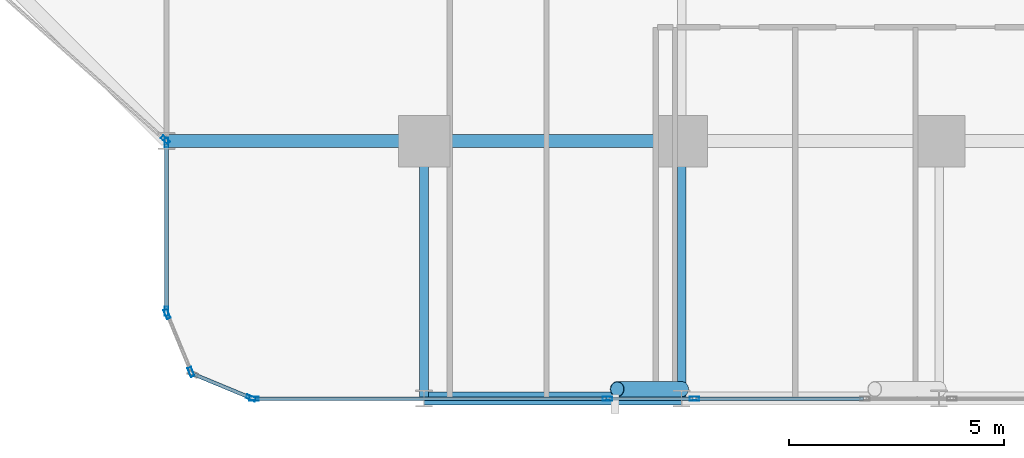
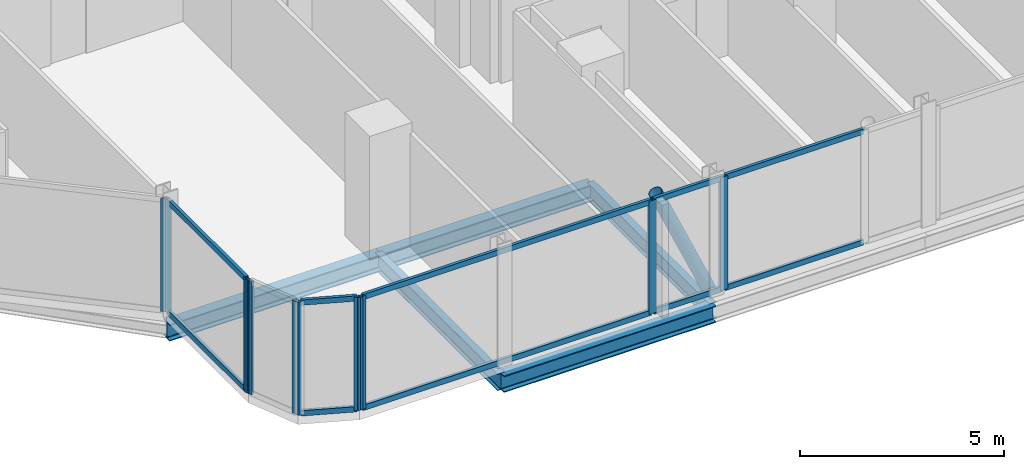
# One storey, part 4 of 34: 20 members, 5 beams, 7 elements without a shape of their own.
"""IFC4 building model written with IfcOpenShell, lengths in metres."""

from ifc_helpers import new_model, si_unit, direction, frame, origin, origin_2d, place, context, subcontext, project, spatial, hollow_rectangle, hollow_circle, i_section, extrude, material, layer, layer_set, material_profile, profile_set, type_object, element, aggregate, save


model = new_model("IFC4")

# Units and contexts
model_context = context("Model", 3, precision=1e-05, world=origin(), true_north=direction((0.0, 1.0)))
body_context = subcontext(model_context, "Body", "Model", "MODEL_VIEW")
ifc_project = project(units=[si_unit("LENGTHUNIT", "METRE"), si_unit("AREAUNIT", "SQUARE_METRE"), si_unit("VOLUMEUNIT", "CUBIC_METRE"), si_unit("PLANEANGLEUNIT", "RADIAN"), si_unit("MASSUNIT", "GRAM", prefix="KILO")], contexts=[model_context])

# Site, building, storey
site_placement = place(None, origin())
site = spatial("IfcSite", under=ifc_project, at=site_placement, CompositionType="ELEMENT")
building_placement = place(site_placement, origin())
building = spatial("IfcBuilding", under=site, at=building_placement, Name="Keshet Zoharim Tower", CompositionType="ELEMENT")
storey_placement = place(building_placement, frame((0.0, 0.0, 53.60009765625)))
storey = spatial("IfcBuildingStorey", under=building, at=storey_placement, Name="L12", CompositionType="ELEMENT", Elevation=53.60009765625)

# Beams
ifc_material_1 = material(Name="Steel S355", Category="steel")
ifc_material_profile_1 = material_profile(ifc_material_1, i_section(OverallWidth=0.199951171875, OverallDepth=0.5, WebThickness=0.01025390625, FlangeThickness=0.01611328125, FilletRadius=0.02099609375, at=origin_2d()), Name="IPE500")
ifc_profile_set_1 = profile_set([ifc_material_profile_1], Name="Steel S355")
beam_type_1 = type_object("IfcBeamType", Name="BM-PRI-IP500", PredefinedType="BEAM", material=ifc_profile_set_1)
for number, where, z_axis, x_axis, name in (
    (1, (27.0, 0.699951171875, -0.565185546875), (0.0, 1.0, 0.0), (-1.0, 0.0, 0.0), "L12 Primary Girder Y-004"),
    (2, (33.0, 0.699951171875, -0.565185546875), (0.0, 1.0, 0.0), (-1.0, 0.0, 0.0), "L12 Primary Girder Y-005"),
):
    element("IfcBeam", number, at=place(storey_placement, frame(where, z_axis=z_axis, x_axis=x_axis)), inside=storey, type_object=beam_type_1, Name=name, PredefinedType="BEAM", context=body_context, shape_type="SweptSolid", body=[
        extrude(i_section(OverallWidth=0.199951171875, OverallDepth=0.5, WebThickness=0.01025390625, FlangeThickness=0.01611328125, FilletRadius=0.02099609375, at=origin_2d()), origin(), (0.0, 0.0, 1.0), 6.0),
    ])
ifc_material_profile_2 = material_profile(ifc_material_1, i_section(OverallWidth=0.300048828125, OverallDepth=0.5, WebThickness=0.014404296875, FlangeThickness=0.028076171875, FilletRadius=0.027099609375, at=origin_2d()), Name="HEB500")
ifc_profile_set_2 = profile_set([ifc_material_profile_2], Name="Steel S355")
beam_type_2 = type_object("IfcBeamType", Name="BM-WEB-HB500", PredefinedType="BEAM", material=ifc_profile_set_2)
for number, where, z_axis, x_axis, name in (
    (3, (27.0, 0.699951171875, -0.565185546875), (1.0, 0.0, 0.0), (0.0, 1.0, 0.0), "L12 Primary Girder X-001"),
    (4, (21.0, 6.699951171875, -0.565185546875), (1.0, 0.0, 0.0), (0.0, 1.0, 0.0), "L12 Primary Girder X-006"),
    (5, (27.0, 6.699951171875, -0.565185546875), (1.0, 0.0, 0.0), (0.0, 1.0, 0.0), "L12 Primary Girder X-007"),
):
    element("IfcBeam", number, at=place(storey_placement, frame(where, z_axis=z_axis, x_axis=x_axis)), inside=storey, type_object=beam_type_2, Name=name, PredefinedType="BEAM", context=body_context, shape_type="SweptSolid", body=[
        extrude(i_section(OverallWidth=0.300048828125, OverallDepth=0.5, WebThickness=0.014404296875, FlangeThickness=0.028076171875, FilletRadius=0.027099609375, at=origin_2d()), origin(), (0.0, 0.0, 1.0), 6.0),
    ])

# Curtain wall, member
ifc_material_2 = material(Name="Aluminium 6063-T6", Category="aluminium")
ifc_layer = layer(ifc_material_2, 0.179931640625)
ifc_layer_set = layer_set([ifc_layer], Name="Aluminium 6063-T6")
curtain_wall_type = type_object("IfcCurtainWallType", Name="CW-SYS-01", PredefinedType="NOTDEFINED", material=ifc_layer_set)
curtain_wall_1_placement = place(storey_placement, origin())
curtain_wall_1 = element("IfcCurtainWall", 6, at=curtain_wall_1_placement, inside=storey, type_object=curtain_wall_type, Name="L12 Unitised Curtain Wall 01", PredefinedType="NOTDEFINED")
ifc_material_profile_3 = material_profile(ifc_material_2, hollow_rectangle(XDim=0.090087890625, YDim=0.219970703125, WallThickness=0.0048828125, at=origin_2d()), Name="MUL-90x220")
ifc_profile_set_3 = profile_set([ifc_material_profile_3], Name="Aluminium 6063-T6")
member_type_1 = type_object("IfcMemberType", Name="CWM-M22", PredefinedType="MULLION", material=ifc_profile_set_3)
member_1_placement = place(storey_placement, frame((20.973876953125, 6.72314453125, 0.0), z_axis=(0.0, 0.0, 1.0), x_axis=(-0.664363838836, -0.747409318679, 0.0)))
member_1 = element("IfcMember", 7, at=member_1_placement, type_object=member_type_1, Name="CW-01 mullion 1", PredefinedType="MULLION", context=body_context, shape_type="SweptSolid", body=[
    extrude(hollow_rectangle(XDim=0.090087890625, YDim=0.219970703125, WallThickness=0.0048828125, at=origin_2d()), origin(), (0.0, 0.0, 1.0), 3.385009765625),
])
aggregate(curtain_wall_1, [member_1])

curtain_wall_2_placement = place(storey_placement, origin())
curtain_wall_2 = element("IfcCurtainWall", 8, at=curtain_wall_2_placement, inside=storey, type_object=curtain_wall_type, Name="L12 Unitised Curtain Wall 26 Part 3", PredefinedType="NOTDEFINED")
member_2_placement = place(storey_placement, frame((33.297607421875, 0.699951171875, 0.0), z_axis=(0.0, 0.0, 1.0), x_axis=(0.0, -1.0, 0.0)))
member_2 = element("IfcMember", 9, at=member_2_placement, type_object=member_type_1, Name="CW-01 mullion 2", PredefinedType="MULLION", context=body_context, shape_type="SweptSolid", body=[
    extrude(hollow_rectangle(XDim=0.090087890625, YDim=0.219970703125, WallThickness=0.0048828125, at=origin_2d()), origin(), (0.0, 0.0, 1.0), 3.385009765625),
])

curtain_wall_3_placement = place(storey_placement, origin())
curtain_wall_3 = element("IfcCurtainWall", 10, at=curtain_wall_3_placement, inside=storey, type_object=curtain_wall_type, Name="L12 Unitised Curtain Wall 26 Part 4", PredefinedType="NOTDEFINED")
member_3_placement = place(storey_placement, frame((31.2724609375, 0.699951171875, 0.0), z_axis=(0.0, 0.0, 1.0), x_axis=(0.0, -1.0, 0.0)))
member_3 = element("IfcMember", 11, at=member_3_placement, type_object=member_type_1, Name="CW-01 mullion 2", PredefinedType="MULLION", context=body_context, shape_type="SweptSolid", body=[
    extrude(hollow_rectangle(XDim=0.090087890625, YDim=0.219970703125, WallThickness=0.0048828125, at=origin_2d()), origin(), (0.0, 0.0, 1.0), 3.385009765625),
])

curtain_wall_4_placement = place(storey_placement, origin())
curtain_wall_4 = element("IfcCurtainWall", 12, at=curtain_wall_4_placement, inside=storey, type_object=curtain_wall_type, Name="L12 Unitised Curtain Wall 26 Part 5", PredefinedType="NOTDEFINED")
member_4_placement = place(storey_placement, frame((23.034912109375, 0.699951171875, 0.0), z_axis=(0.0, 0.0, 1.0), x_axis=(0.0, -1.0, 0.0)))
member_4 = element("IfcMember", 13, at=member_4_placement, type_object=member_type_1, Name="CW-01 mullion 2", PredefinedType="MULLION", context=body_context, shape_type="SweptSolid", body=[
    extrude(hollow_rectangle(XDim=0.090087890625, YDim=0.219970703125, WallThickness=0.0048828125, at=origin_2d()), origin(), (0.0, 0.0, 1.0), 3.385009765625),
])

curtain_wall_5_placement = place(storey_placement, origin())
curtain_wall_5 = element("IfcCurtainWall", 14, at=curtain_wall_5_placement, inside=storey, type_object=curtain_wall_type, Name="L12 Unitised Curtain Wall 27", PredefinedType="NOTDEFINED")
member_5_placement = place(storey_placement, frame((22.9677734375, 0.71337890625, 0.0), z_axis=(0.0, 0.0, 1.0), x_axis=(-0.382851849847, -0.92380975372, 0.0)))
member_5 = element("IfcMember", 15, at=member_5_placement, type_object=member_type_1, Name="CW-01 mullion 1", PredefinedType="MULLION", context=body_context, shape_type="SweptSolid", body=[
    extrude(hollow_rectangle(XDim=0.090087890625, YDim=0.219970703125, WallThickness=0.0048828125, at=origin_2d()), origin(), (0.0, 0.0, 1.0), 3.385009765625),
])

# Curtain wall, members
curtain_wall_6_placement = place(storey_placement, origin())
curtain_wall_6 = element("IfcCurtainWall", 16, at=curtain_wall_6_placement, inside=storey, type_object=curtain_wall_type, Name="L12 Unitised Curtain Wall 28", PredefinedType="NOTDEFINED")
member_6_placement = place(storey_placement, frame((21.572509765625, 1.318359375, 0.0), z_axis=(0.0, 0.0, 1.0), x_axis=(-0.92380975372, -0.382851849847, 0.0)))
member_6 = element("IfcMember", 17, at=member_6_placement, type_object=member_type_1, Name="CW-01 mullion 1", PredefinedType="MULLION", context=body_context, shape_type="SweptSolid", body=[
    extrude(hollow_rectangle(XDim=0.090087890625, YDim=0.219970703125, WallThickness=0.0048828125, at=origin_2d()), origin(), (0.0, 0.0, 1.0), 3.385009765625),
])
member_7_placement = place(storey_placement, frame((21.013427734375, 2.667724609375, 0.0), z_axis=(0.0, 0.0, 1.0), x_axis=(-0.92380975372, -0.382851849847, 0.0)))
member_7 = element("IfcMember", 18, at=member_7_placement, type_object=member_type_1, Name="CW-01 mullion 2", PredefinedType="MULLION", context=body_context, shape_type="SweptSolid", body=[
    extrude(hollow_rectangle(XDim=0.090087890625, YDim=0.219970703125, WallThickness=0.0048828125, at=origin_2d()), origin(), (0.0, 0.0, 1.0), 3.385009765625),
])
aggregate(curtain_wall_6, [member_6, member_7])

curtain_wall_7_placement = place(storey_placement, origin())
curtain_wall_7 = element("IfcCurtainWall", 19, at=curtain_wall_7_placement, inside=storey, type_object=curtain_wall_type, Name="L12 Unitised Curtain Wall 29", PredefinedType="NOTDEFINED")
member_8_placement = place(storey_placement, frame((21.0, 2.735107421875, 0.0), z_axis=(0.0, 0.0, 1.0), x_axis=(-1.0, 0.0, 0.0)))
member_8 = element("IfcMember", 20, at=member_8_placement, type_object=member_type_1, Name="CW-01 mullion 1", PredefinedType="MULLION", context=body_context, shape_type="SweptSolid", body=[
    extrude(hollow_rectangle(XDim=0.090087890625, YDim=0.219970703125, WallThickness=0.0048828125, at=origin_2d()), origin(), (0.0, 0.0, 1.0), 3.385009765625),
])
member_9_placement = place(storey_placement, frame((21.0, 6.6650390625, 0.0), z_axis=(0.0, 0.0, 1.0), x_axis=(-1.0, 0.0, 0.0)))
member_9 = element("IfcMember", 21, at=member_9_placement, type_object=member_type_1, Name="CW-01 mullion 2", PredefinedType="MULLION", context=body_context, shape_type="SweptSolid", body=[
    extrude(hollow_rectangle(XDim=0.090087890625, YDim=0.219970703125, WallThickness=0.0048828125, at=origin_2d()), origin(), (0.0, 0.0, 1.0), 3.385009765625),
])

# Member
ifc_material_profile_4 = material_profile(ifc_material_2, hollow_rectangle(XDim=0.0849609375, YDim=0.159912109375, WallThickness=0.00439453125, at=origin_2d()), Name="TRN-85x160")
ifc_profile_set_4 = profile_set([ifc_material_profile_4], Name="Aluminium 6063-T6")
member_type_2 = type_object("IfcMemberType", Name="CWT-T16", PredefinedType="USERDEFINED", material=ifc_profile_set_4)
member_10_placement = place(storey_placement, frame((37.2373046875, 0.699951171875, 0.034912109375), z_axis=(-1.0, 0.0, 0.0), x_axis=(0.0, -1.0, 0.0)))
member_10 = element("IfcMember", 22, at=member_10_placement, type_object=member_type_2, Name="CW-01 transom 1.1", ObjectType="TRANSOM", PredefinedType="USERDEFINED", context=body_context, shape_type="SweptSolid", body=[
    extrude(hollow_rectangle(XDim=0.0849609375, YDim=0.159912109375, WallThickness=0.00439453125, at=origin_2d()), origin(), (0.0, 0.0, 1.0), 3.90478515625),
])

member_11_placement = place(storey_placement, frame((37.2373046875, 0.699951171875, 3.349853515625), z_axis=(-1.0, 0.0, 0.0), x_axis=(0.0, -1.0, 0.0)))
member_11 = element("IfcMember", 23, at=member_11_placement, type_object=member_type_2, Name="CW-01 transom 1.2", ObjectType="TRANSOM", PredefinedType="USERDEFINED", context=body_context, shape_type="SweptSolid", body=[
    extrude(hollow_rectangle(XDim=0.0849609375, YDim=0.159912109375, WallThickness=0.00439453125, at=origin_2d()), origin(), (0.0, 0.0, 1.0), 3.90478515625),
])

aggregate(curtain_wall_2, [member_2, member_10, member_11])

member_12_placement = place(storey_placement, frame((33.2626953125, 0.699951171875, 0.034912109375), z_axis=(-1.0, 0.0, 0.0), x_axis=(0.0, -1.0, 0.0)))
member_12 = element("IfcMember", 24, at=member_12_placement, type_object=member_type_2, Name="CW-01 transom 1.1", ObjectType="TRANSOM", PredefinedType="USERDEFINED", context=body_context, shape_type="SweptSolid", body=[
    extrude(hollow_rectangle(XDim=0.0849609375, YDim=0.159912109375, WallThickness=0.00439453125, at=origin_2d()), origin(), (0.0, 0.0, 1.0), 1.955322265625),
])

member_13_placement = place(storey_placement, frame((33.2626953125, 0.699951171875, 3.349853515625), z_axis=(-1.0, 0.0, 0.0), x_axis=(0.0, -1.0, 0.0)))
member_13 = element("IfcMember", 25, at=member_13_placement, type_object=member_type_2, Name="CW-01 transom 1.2", ObjectType="TRANSOM", PredefinedType="USERDEFINED", context=body_context, shape_type="SweptSolid", body=[
    extrude(hollow_rectangle(XDim=0.0849609375, YDim=0.159912109375, WallThickness=0.00439453125, at=origin_2d()), origin(), (0.0, 0.0, 1.0), 1.955322265625),
])

aggregate(curtain_wall_3, [member_3, member_12, member_13])

member_14_placement = place(storey_placement, frame((31.2373046875, 0.699951171875, 0.034912109375), z_axis=(-1.0, 0.0, 0.0), x_axis=(0.0, -1.0, 0.0)))
member_14 = element("IfcMember", 26, at=member_14_placement, type_object=member_type_2, Name="CW-01 transom 1.1", ObjectType="TRANSOM", PredefinedType="USERDEFINED", context=body_context, shape_type="SweptSolid", body=[
    extrude(hollow_rectangle(XDim=0.0849609375, YDim=0.159912109375, WallThickness=0.00439453125, at=origin_2d()), origin(), (0.0, 0.0, 1.0), 8.167236328125),
])

member_15_placement = place(storey_placement, frame((31.2373046875, 0.699951171875, 3.349853515625), z_axis=(-1.0, 0.0, 0.0), x_axis=(0.0, -1.0, 0.0)))
member_15 = element("IfcMember", 27, at=member_15_placement, type_object=member_type_2, Name="CW-01 transom 1.2", ObjectType="TRANSOM", PredefinedType="USERDEFINED", context=body_context, shape_type="SweptSolid", body=[
    extrude(hollow_rectangle(XDim=0.0849609375, YDim=0.159912109375, WallThickness=0.00439453125, at=origin_2d()), origin(), (0.0, 0.0, 1.0), 8.167236328125),
])

aggregate(curtain_wall_4, [member_4, member_14, member_15])

member_16_placement = place(storey_placement, frame((22.935302734375, 0.726806640625, 0.034912109375), z_axis=(-0.92379209995, 0.382894445076, 0.0), x_axis=(-0.382894445076, -0.92379209995, 0.0)))
member_16 = element("IfcMember", 28, at=member_16_placement, type_object=member_type_2, Name="CW-01 transom 1.1", ObjectType="TRANSOM", PredefinedType="USERDEFINED", context=body_context, shape_type="SweptSolid", body=[
    extrude(hollow_rectangle(XDim=0.0849609375, YDim=0.159912109375, WallThickness=0.00439453125, at=origin_2d()), origin(), (0.0, 0.0, 1.0), 1.390625),
])

member_17_placement = place(storey_placement, frame((22.935302734375, 0.726806640625, 3.349853515625), z_axis=(-0.92379209995, 0.382894445076, 0.0), x_axis=(-0.382894445076, -0.92379209995, 0.0)))
member_17 = element("IfcMember", 29, at=member_17_placement, type_object=member_type_2, Name="CW-01 transom 1.2", ObjectType="TRANSOM", PredefinedType="USERDEFINED", context=body_context, shape_type="SweptSolid", body=[
    extrude(hollow_rectangle(XDim=0.0849609375, YDim=0.159912109375, WallThickness=0.00439453125, at=origin_2d()), origin(), (0.0, 0.0, 1.0), 1.390625),
])

aggregate(curtain_wall_5, [member_5, member_16, member_17])

member_18_placement = place(storey_placement, frame((21.0, 2.77001953125, 0.034912109375), z_axis=(0.0, 1.0, 0.0), x_axis=(-1.0, 0.0, 0.0)))
member_18 = element("IfcMember", 30, at=member_18_placement, type_object=member_type_2, Name="CW-01 transom 1.1", ObjectType="TRANSOM", PredefinedType="USERDEFINED", context=body_context, shape_type="SweptSolid", body=[
    extrude(hollow_rectangle(XDim=0.0849609375, YDim=0.159912109375, WallThickness=0.00439453125, at=origin_2d()), origin(), (0.0, 0.0, 1.0), 3.85986328125),
])

member_19_placement = place(storey_placement, frame((21.0, 2.77001953125, 3.349853515625), z_axis=(0.0, 1.0, 0.0), x_axis=(-1.0, 0.0, 0.0)))
member_19 = element("IfcMember", 31, at=member_19_placement, type_object=member_type_2, Name="CW-01 transom 1.2", ObjectType="TRANSOM", PredefinedType="USERDEFINED", context=body_context, shape_type="SweptSolid", body=[
    extrude(hollow_rectangle(XDim=0.0849609375, YDim=0.159912109375, WallThickness=0.00439453125, at=origin_2d()), origin(), (0.0, 0.0, 1.0), 3.85986328125),
])

aggregate(curtain_wall_7, [member_8, member_9, member_18, member_19])

ifc_material_profile_5 = material_profile(ifc_material_1, hollow_circle(Radius=0.177734375, WallThickness=0.012451171875, at=origin_2d()), Name="CHS355x12.5")
ifc_profile_set_5 = profile_set([ifc_material_profile_5], Name="Steel S355")
member_type_3 = type_object("IfcMemberType", Name="MB-BR-C355", PredefinedType="BRACE", material=ifc_profile_set_5)
member_20_placement = place(storey_placement, frame((33.0, 0.919921875, 0.0), z_axis=(-0.405134846829, 0.0, 0.91425694194), x_axis=(0.0, -1.0, 0.0)))
element("IfcMember", 32, at=member_20_placement, inside=storey, type_object=member_type_3, Name="L12 Perimeter Tube Brace 02", PredefinedType="BRACE", context=body_context, shape_type="SweptSolid", body=[
    extrude(hollow_circle(Radius=0.177734375, WallThickness=0.012451171875, at=origin_2d()), origin(), (0.0, 0.0, 1.0), 3.702392578125),
])

save(model, "model.ifc")
